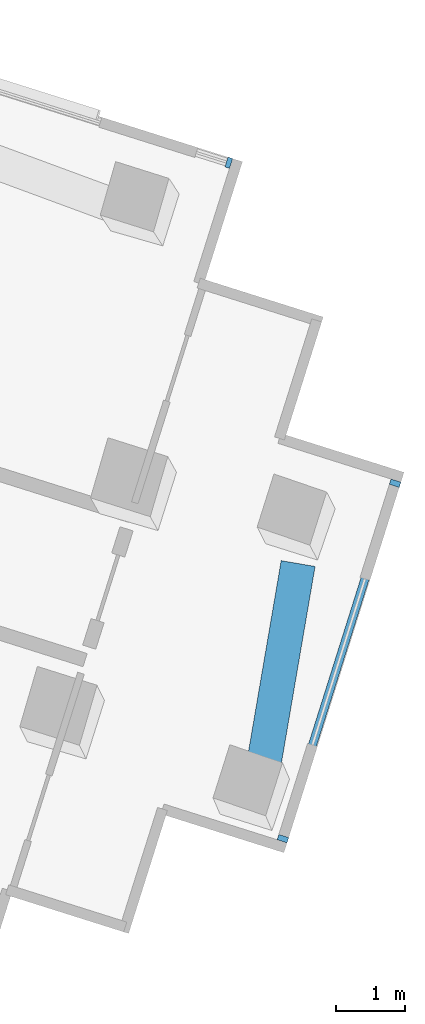
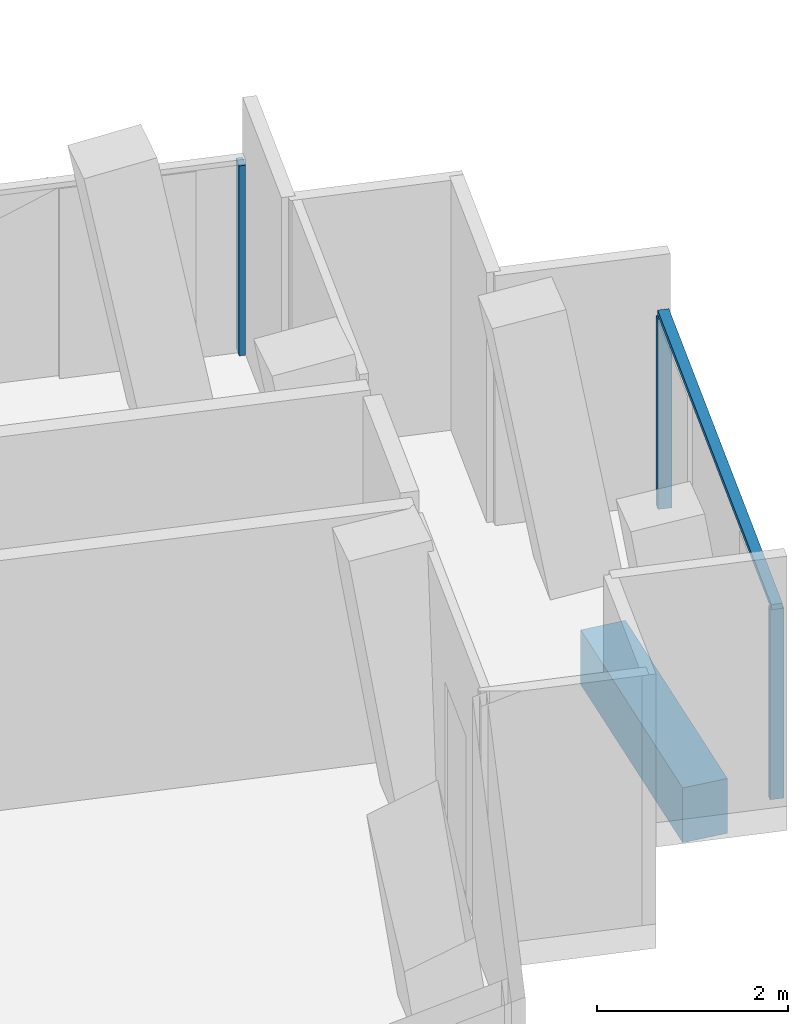
# One storey, part 10 of 24: 4 members, 1 beam, 2 elements without a shape of their own.
"""IFC4 building model written with IfcOpenShell, lengths in metres."""

from ifc_helpers import new_model, si_unit, direction, frame, origin, origin_2d, place, context, subcontext, project, spatial, rectangle, extrude, material, layer, layer_set, material_profile, profile_set, type_object, element, aggregate, save


model = new_model("IFC4")

# Units and contexts
model_context = context("Model", 3, precision=1e-05, world=origin(), true_north=direction((0.0, 1.0)))
body_context = subcontext(model_context, "Body", "Model", "MODEL_VIEW")
ifc_project = project(units=[si_unit("LENGTHUNIT", "METRE"), si_unit("AREAUNIT", "SQUARE_METRE"), si_unit("VOLUMEUNIT", "CUBIC_METRE"), si_unit("PLANEANGLEUNIT", "RADIAN"), si_unit("MASSUNIT", "GRAM", prefix="KILO")], contexts=[model_context])

# Site, building, storey
site_placement = place(None, origin())
site = spatial("IfcSite", under=ifc_project, at=site_placement, CompositionType="ELEMENT")
building_placement = place(site_placement, origin())
building = spatial("IfcBuilding", under=site, at=building_placement, Name="Verdalira Terraces Hotel", CompositionType="ELEMENT")
storey_placement = place(building_placement, frame((0.0, 0.0, 86.0)))
storey = spatial("IfcBuildingStorey", under=building, at=storey_placement, Name="L19", CompositionType="ELEMENT", Elevation=86.0)

# Curtain wall, member
ifc_material_1 = material(Name="Clear glass", Category="glass")
ifc_layer_1 = layer(ifc_material_1, 0.14990234375)
ifc_layer_set_1 = layer_set([ifc_layer_1], Name="CW2 curtain wall")
curtain_wall_type_1 = type_object("IfcCurtainWallType", Name="CW2 curtain wall", PredefinedType="NOTDEFINED", material=ifc_layer_set_1)
curtain_wall_1_placement = place(storey_placement, origin())
curtain_wall_1 = element("IfcCurtainWall", 1, at=curtain_wall_1_placement, inside=storey, type_object=curtain_wall_type_1, Name="CW2 curtain wall L19 edge 38", PredefinedType="NOTDEFINED")
ifc_material_2 = material(Name="Terracotta frame", Category="masonry")
ifc_material_profile_1 = material_profile(ifc_material_2, rectangle(XDim=0.070068, YDim=0.149902, at=origin_2d()), Name="MU 70x150")
ifc_profile_set_1 = profile_set([ifc_material_profile_1], Name="Terracotta frame")
member_type_1 = type_object("IfcMemberType", Name="CW2 mullion 70x150", PredefinedType="MULLION", material=ifc_profile_set_1)
member_1_placement = place(storey_placement, frame((31.936768, -3.344238, 0.0), z_axis=(0.0, 0.0, 1.0), x_axis=(-0.953611927, 0.301038691, 0.0)))
member_1 = element("IfcMember", 2, at=member_1_placement, type_object=member_type_1, Name="CW2 mullion", PredefinedType="MULLION", context=body_context, shape_type="SweptSolid", body=[
    extrude(rectangle(XDim=0.070068, YDim=0.149902, at=origin_2d()), origin(), (0.0, 0.0, 1.0), 2.425049),
])
aggregate(curtain_wall_1, [member_1])

# Curtain wall, members
ifc_material_3 = material(Name="Clear glass", Category="glass")
ifc_layer_2 = layer(ifc_material_3, 0.14990234375)
ifc_layer_set_2 = layer_set([ifc_layer_2], Name="CW3 curtain wall")
curtain_wall_type_2 = type_object("IfcCurtainWallType", Name="CW3 curtain wall", PredefinedType="NOTDEFINED", material=ifc_layer_set_2)
curtain_wall_2_placement = place(storey_placement, origin())
curtain_wall_2 = element("IfcCurtainWall", 3, at=curtain_wall_2_placement, inside=storey, type_object=curtain_wall_type_2, Name="CW3 curtain wall L19 edge 33", PredefinedType="NOTDEFINED")
ifc_material_4 = material(Name="Terracotta frame", Category="masonry")
ifc_material_profile_2 = material_profile(ifc_material_4, rectangle(XDim=0.080078, YDim=0.149902, at=origin_2d()), Name="MU 80x150")
ifc_profile_set_2 = profile_set([ifc_material_profile_2], Name="Terracotta frame")
member_type_2 = type_object("IfcMemberType", Name="CW3 mullion 80x150", PredefinedType="MULLION", material=ifc_profile_set_2)
member_2_placement = place(storey_placement, frame((32.724609, -13.172363, 0.0), z_axis=(0.0, 0.0, 1.0), x_axis=(0.301038691, 0.953611927, 0.0)))
member_2 = element("IfcMember", 4, at=member_2_placement, type_object=member_type_2, Name="CW3 mullion", PredefinedType="MULLION", context=body_context, shape_type="SweptSolid", body=[
    extrude(rectangle(XDim=0.080078, YDim=0.149902, at=origin_2d()), origin(), (0.0, 0.0, 1.0), 2.425049),
])
member_3_placement = place(storey_placement, frame((34.356201, -8.003906, 0.0), z_axis=(0.0, 0.0, 1.0), x_axis=(0.301038691, 0.953611927, 0.0)))
member_3 = element("IfcMember", 5, at=member_3_placement, type_object=member_type_2, Name="CW3 mullion", PredefinedType="MULLION", context=body_context, shape_type="SweptSolid", body=[
    extrude(rectangle(XDim=0.080078, YDim=0.149902, at=origin_2d()), origin(), (0.0, 0.0, 1.0), 2.425049),
])
ifc_material_5 = material(Name="Terracotta frame", Category="masonry")
ifc_material_profile_3 = material_profile(ifc_material_5, rectangle(XDim=0.120117, YDim=0.064941, at=origin_2d()), Name="TR 65x120")
ifc_profile_set_3 = profile_set([ifc_material_profile_3], Name="Terracotta frame")
member_type_3 = type_object("IfcMemberType", Name="CW3 transom 65x120", PredefinedType="USERDEFINED", material=ifc_profile_set_3)
member_4_placement = place(storey_placement, frame((32.712646, -13.210449, 2.45752), z_axis=(0.301059134, 0.953605473, 0.0), x_axis=(-0.953605473, 0.301059134, 0.0)))
member_4 = element("IfcMember", 6, at=member_4_placement, type_object=member_type_3, Name="CW3 transom", ObjectType="TRANSOM", PredefinedType="USERDEFINED", context=body_context, shape_type="SweptSolid", body=[
    extrude(rectangle(XDim=0.120117, YDim=0.064941, at=origin_2d()), origin(), (0.0, 0.0, 1.0), 5.499756),
])
aggregate(curtain_wall_2, [member_2, member_3, member_4])

# Beam
ifc_material_6 = material(Name="Concrete C70", Category="concrete")
ifc_material_profile_4 = material_profile(ifc_material_6, rectangle(XDim=0.5, YDim=0.699951, at=origin_2d()), Name="RC 500X700")
ifc_profile_set_4 = profile_set([ifc_material_profile_4], Name="Concrete C70")
beam_type = type_object("IfcBeamType", Name="Spandrel beam RC 500X700 C70", PredefinedType="SPANDREL", material=ifc_profile_set_4)
beam_placement = place(storey_placement, frame((32.426514, -12.203125, -0.659912), z_axis=(0.168851441, 0.985641512, 0.0), x_axis=(-0.985641512, 0.168851441, 0.0)))
element("IfcBeam", 7, at=beam_placement, inside=storey, type_object=beam_type, Name="Spandrel beam B22", PredefinedType="SPANDREL", context=body_context, shape_type="SweptSolid", body=[
    extrude(rectangle(XDim=0.5, YDim=0.699951, at=origin_2d()), origin(), (0.0, 0.0, 1.0), 3.075439),
])

save(model, "model.ifc")
